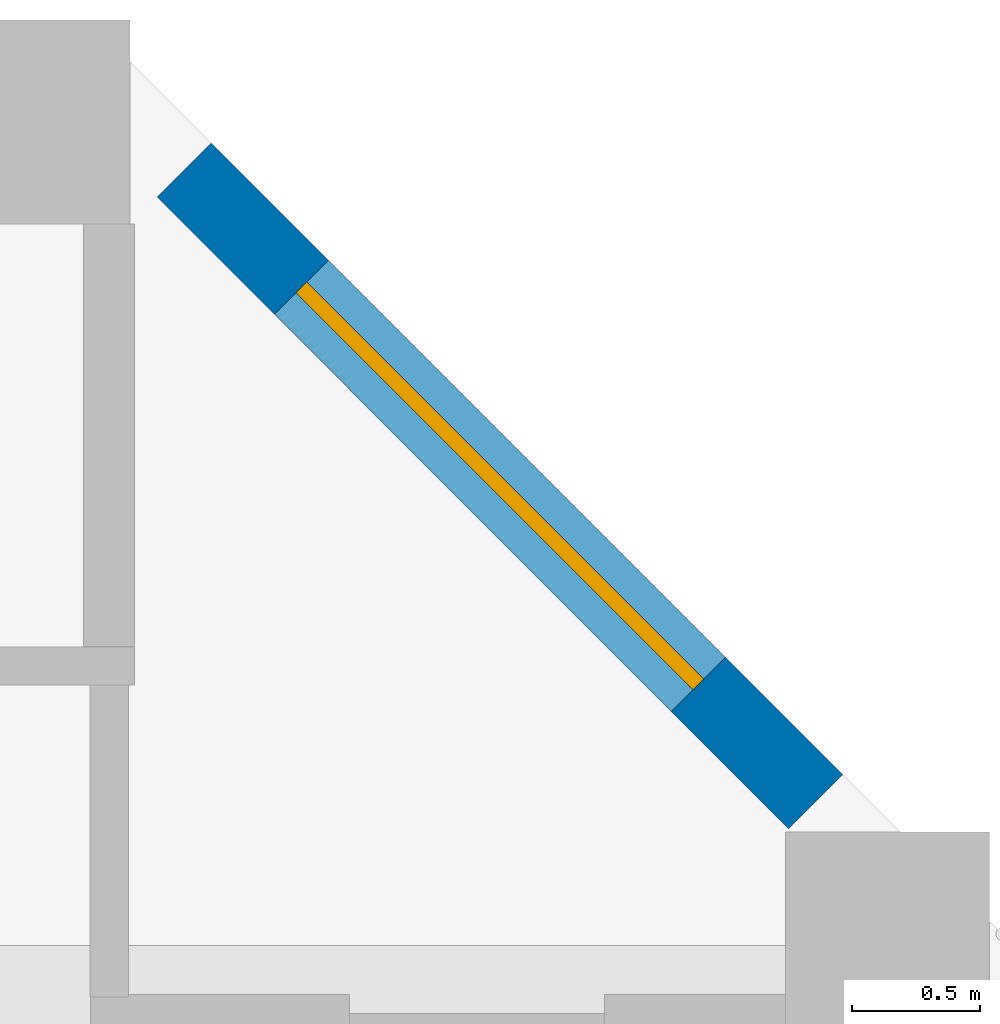
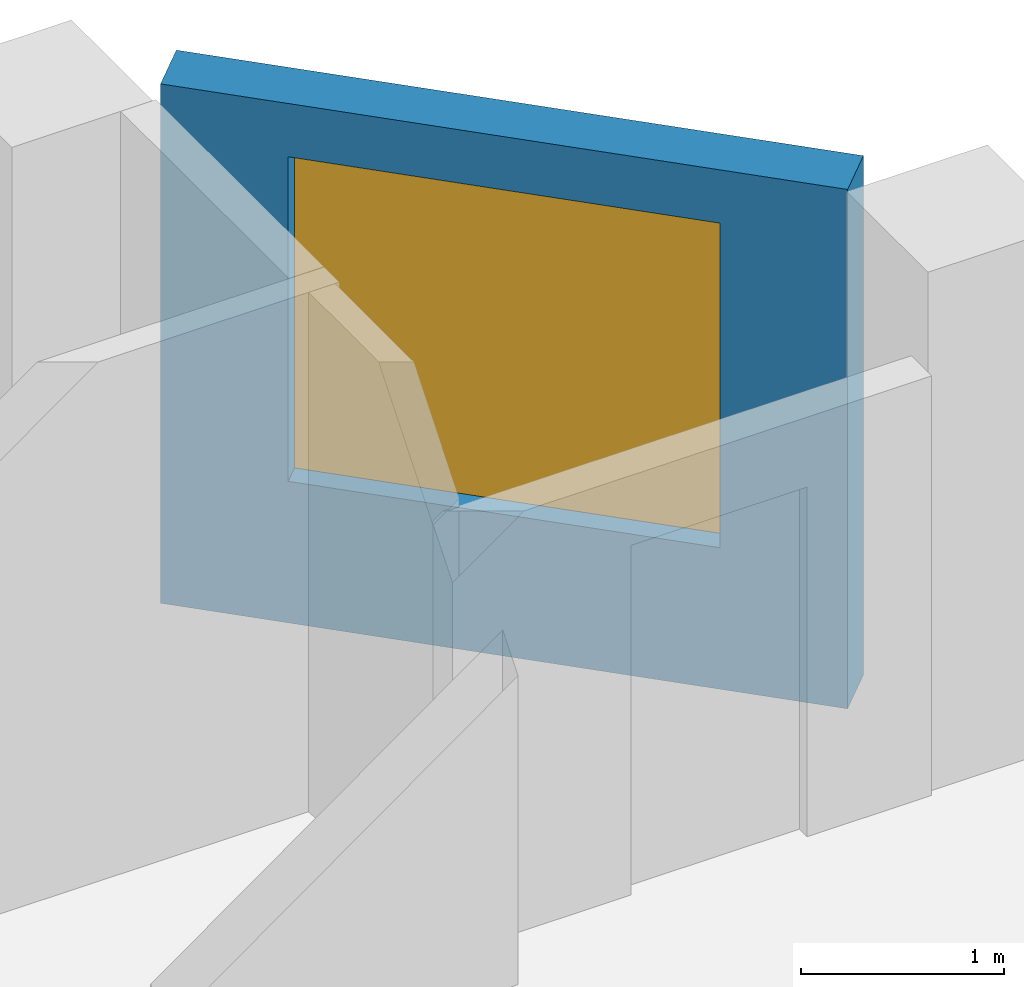
# One storey, part 11 of 23: 1 wall, 1 window, 1 opening.
"""IFC4 building model written with IfcOpenShell, lengths in metres."""

from ifc_helpers import new_model, si_unit, direction, frame, frame_2d, origin, place, context, subcontext, project, spatial, rectangle, extrude, source, transform, mapped, material, layer, layer_set, type_object, element, fill, save


model = new_model("IFC4")

# Units and contexts
model_context = context("Model", 3, precision=1e-05, world=origin(), true_north=direction((0.0, 1.0)))
body_context = subcontext(model_context, "Body", "Model", "MODEL_VIEW")
ifc_project = project(units=[si_unit("LENGTHUNIT", "METRE"), si_unit("AREAUNIT", "SQUARE_METRE"), si_unit("VOLUMEUNIT", "CUBIC_METRE"), si_unit("PLANEANGLEUNIT", "RADIAN"), si_unit("MASSUNIT", "GRAM", prefix="KILO")], contexts=[model_context])

# Site, building, storey
site_placement = place(None, origin())
site = spatial("IfcSite", under=ifc_project, at=site_placement, CompositionType="ELEMENT")
building_placement = place(site_placement, origin())
building = spatial("IfcBuilding", under=site, at=building_placement, Name="Kilnfold Tower and Market Hall", CompositionType="ELEMENT")
storey_placement = place(building_placement, frame((0.0, 0.0, 178.699951171875)))
storey = spatial("IfcBuildingStorey", under=building, at=storey_placement, Name="L42", CompositionType="ELEMENT", Elevation=178.699951171875)

# Wall, opening, window
ifc_material_1 = material(Name="Precast concrete C50/60", Category="concrete")
ifc_layer = layer(ifc_material_1, 0.300048828125)
ifc_layer_set = layer_set([ifc_layer], Name="Precast concrete C50/60")
wall_type = type_object("IfcWallType", Name="PRECAST WALL 300", PredefinedType="SOLIDWALL", material=ifc_layer_set)
shared_shape = source(origin(), body_context, "Body", "SweptSolid", [
    extrude(rectangle(XDim=3.500244140625, YDim=0.300048828125, at=frame_2d((1.75, 0.0))), origin(), (0.0, 0.0, 1.0), 3.1201171875),
])
wall_placement = place(storey_placement, frame((24.518798828125, 23.268798828125, 0.0), z_axis=(0.0, 0.0, 1.0), x_axis=(-0.70707190453, 0.707141656123, 0.0)))
wall = element("IfcWall", 1, at=wall_placement, inside=storey, type_object=wall_type, Name="External wall L42 NE", PredefinedType="SOLIDWALL", context=body_context, shape_type="MappedRepresentation", body=[
    mapped(shared_shape, transform((0.0, 0.0, 0.0))),
])
opening_placement = place(wall_placement, frame((0.650146484375, 0.0, 0.85009765625)))
opening = element("IfcOpeningElement", 2, at=opening_placement, cuts=wall, Name="Opening W2", PredefinedType="OPENING", context=body_context, shape_type="SweptSolid", body=[
    extrude(rectangle(XDim=2.199951171875, YDim=1.949951171875, at=frame_2d((1.10009765625, 0.97509765625))), frame((0.0, 0.16015625, 0.0), z_axis=(0.0, -1.0, 0.0), x_axis=(1.0, 0.0, 0.0)), (0.0, 0.0, 1.0), 0.320068359375),
])
ifc_material_2 = material(Name="Aluminium frame and double glazing", Category="aluminium")
window_type = type_object("IfcWindowType", Name="WINDOW W2 2200X1950", PartitioningType="SINGLE_PANEL", PredefinedType="WINDOW", material=ifc_material_2)
window_placement = place(opening_placement, origin())
window = element("IfcWindow", 3, at=window_placement, inside=storey, type_object=window_type, Name="Window W2 L42 NE-1", OverallHeight=1.949951171875, OverallWidth=2.199951171875, PartitioningType="SINGLE_PANEL", PredefinedType="WINDOW", context=body_context, shape_type="SweptSolid", body=[
    extrude(rectangle(XDim=2.199951171875, YDim=1.949951171875, at=frame_2d((1.10009765625, 0.97509765625))), frame((0.0, 0.030029296875, 0.0), z_axis=(0.0, -1.0, 0.0), x_axis=(1.0, 0.0, 0.0)), (0.0, 0.0, 1.0), 0.06005859375),
])
fill(opening, window)

save(model, "model.ifc")
